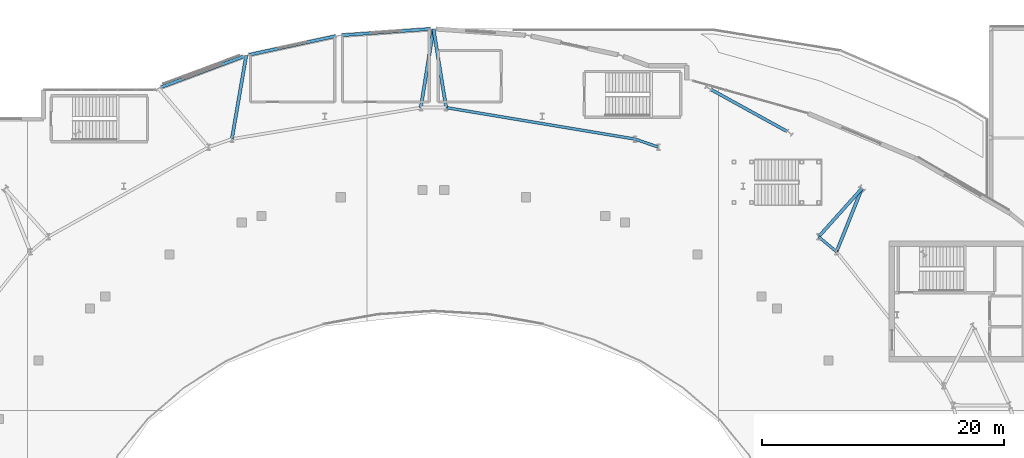
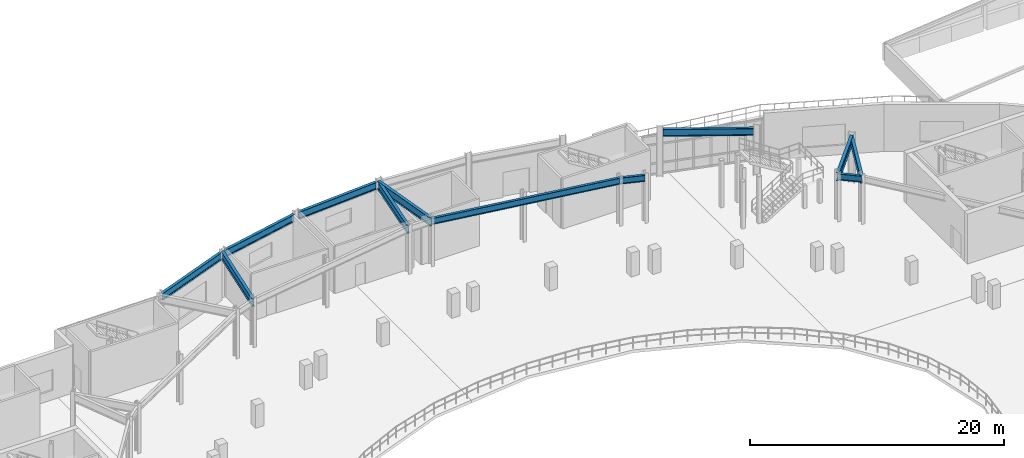
# One storey, part 44 of 84: 12 beams.
"""IFC4 building model written with IfcOpenShell, lengths in metres."""

from ifc_helpers import new_model, si_unit, direction, frame, origin, origin_2d, place, context, subcontext, project, spatial, i_section, extrude, material, material_profile, profile_set, type_object, element, save


model = new_model("IFC4")

# Units and contexts
model_context = context("Model", 3, precision=1e-05, world=origin(), true_north=direction((0.0, 1.0)))
body_context = subcontext(model_context, "Body", "Model", "MODEL_VIEW")
ifc_project = project(units=[si_unit("LENGTHUNIT", "METRE"), si_unit("AREAUNIT", "SQUARE_METRE"), si_unit("VOLUMEUNIT", "CUBIC_METRE"), si_unit("PLANEANGLEUNIT", "RADIAN"), si_unit("MASSUNIT", "GRAM", prefix="KILO")], contexts=[model_context])

# Site, building, storey
site_placement = place(None, origin())
site = spatial("IfcSite", under=ifc_project, at=site_placement, CompositionType="ELEMENT")
building_placement = place(site_placement, origin())
building = spatial("IfcBuilding", under=site, at=building_placement, Name="Glasvene Arena", CompositionType="ELEMENT")
storey_placement = place(building_placement, frame((0.0, 0.0, 10.199951171875)))
storey = spatial("IfcBuildingStorey", under=building, at=storey_placement, Name="L02", CompositionType="ELEMENT", Elevation=10.199951171875)

# Beams
ifc_material = material(Name="Steel S355J2", Category="steel")
ifc_material_profile_1 = material_profile(ifc_material, i_section(OverallWidth=0.228271484375, OverallDepth=0.607666015625, WebThickness=0.010986328125, FlangeThickness=0.017333984375, FilletRadius=0.0126953125, at=origin_2d()), Name="UKB 610x229x113")
ifc_profile_set_1 = profile_set([ifc_material_profile_1], Name="Steel S355J2")
beam_type_1 = type_object("IfcBeamType", Name="BM-GIRD-610", PredefinedType="BEAM", material=ifc_profile_set_1)
beam_1_placement = place(storey_placement, frame((125.256591796875, 99.59912109375, 4.215087890625), z_axis=(-0.766930434436, 0.641730246082, 0.0), x_axis=(-0.641730246082, -0.766930434436, 0.0)))
element("IfcBeam", 1, at=beam_1_placement, inside=storey, type_object=beam_type_1, Name="Concourse inner ring girder L02-04", PredefinedType="BEAM", context=body_context, shape_type="SweptSolid", body=[
    extrude(i_section(OverallWidth=0.228271484375, OverallDepth=0.607666015625, WebThickness=0.010986328125, FlangeThickness=0.017333984375, FilletRadius=0.0126953125, at=origin_2d()), origin(), (0.0, 0.0, 1.0), 1.924560546875),
])
beam_2_placement = place(storey_placement, frame((110.56298828125, 108.225830078125, 4.215087890625), z_axis=(-0.944798184006, 0.327652852114, 0.0), x_axis=(-0.327652852114, -0.944798184006, 0.0)))
element("IfcBeam", 2, at=beam_2_placement, inside=storey, type_object=beam_type_1, Name="Concourse inner ring girder L02-06", PredefinedType="BEAM", context=body_context, shape_type="SweptSolid", body=[
    extrude(i_section(OverallWidth=0.228271484375, OverallDepth=0.607666015625, WebThickness=0.010986328125, FlangeThickness=0.017333984375, FilletRadius=0.0126953125, at=origin_2d()), origin(), (0.0, 0.0, 1.0), 2.040771484375),
])
beam_3_placement = place(storey_placement, frame((108.634765625, 108.89453125, 4.215087890625), z_axis=(-0.986425216298, 0.164211122194, 0.0), x_axis=(-0.164211122194, -0.986425216298, 0.0)))
element("IfcBeam", 3, at=beam_3_placement, inside=storey, type_object=beam_type_1, Name="Concourse inner ring girder L02-07", PredefinedType="BEAM", context=body_context, shape_type="SweptSolid", body=[
    extrude(i_section(OverallWidth=0.228271484375, OverallDepth=0.607666015625, WebThickness=0.010986328125, FlangeThickness=0.017333984375, FilletRadius=0.0126953125, at=origin_2d()), origin(), (0.0, 0.0, 1.0), 15.8056640625),
])
ifc_material_profile_2 = material_profile(ifc_material, i_section(OverallWidth=0.253662109375, OverallDepth=0.68359375, WebThickness=0.012451171875, FlangeThickness=0.01904296875, FilletRadius=0.01513671875, at=origin_2d()), Name="UKB 686x254x140")
ifc_profile_set_2 = profile_set([ifc_material_profile_2], Name="Steel S355J2")
beam_type_2 = type_object("IfcBeamType", Name="BM-GIRD-686", PredefinedType="BEAM", material=ifc_profile_set_2)
beam_4_placement = place(storey_placement, frame((121.17919921875, 109.521728515625, 4.178466796875), z_axis=(-0.875653765723, 0.482939419156, 0.0), x_axis=(-0.482939419156, -0.875653765723, 0.0)))
element("IfcBeam", 4, at=beam_4_placement, inside=storey, type_object=beam_type_2, Name="Bowl ring chord beam L02-07", PredefinedType="BEAM", context=body_context, shape_type="SweptSolid", body=[
    extrude(i_section(OverallWidth=0.253662109375, OverallDepth=0.68359375, WebThickness=0.012451171875, FlangeThickness=0.01904296875, FilletRadius=0.01513671875, at=origin_2d()), origin(), (0.0, 0.0, 1.0), 7.159912109375),
])
beam_5_placement = place(storey_placement, frame((91.760498046875, 117.98291015625, 4.178466796875), z_axis=(-0.997501616337, -0.070643650844, 0.0), x_axis=(0.070643650844, -0.997501616337, 0.0)))
element("IfcBeam", 5, at=beam_5_placement, inside=storey, type_object=beam_type_2, Name="Bowl ring chord beam L02-11", PredefinedType="BEAM", context=body_context, shape_type="SweptSolid", body=[
    extrude(i_section(OverallWidth=0.253662109375, OverallDepth=0.68359375, WebThickness=0.012451171875, FlangeThickness=0.01904296875, FilletRadius=0.01513671875, at=origin_2d()), origin(), (0.0, 0.0, 1.0), 7.361083984375),
])
beam_6_placement = place(storey_placement, frame((83.943603515625, 117.395263671875, 4.178466796875), z_axis=(-0.97744150895, -0.211206289161, 0.0), x_axis=(0.211206289161, -0.97744150895, 0.0)))
element("IfcBeam", 6, at=beam_6_placement, inside=storey, type_object=beam_type_2, Name="Bowl ring chord beam L02-12", PredefinedType="BEAM", context=body_context, shape_type="SweptSolid", body=[
    extrude(i_section(OverallWidth=0.253662109375, OverallDepth=0.68359375, WebThickness=0.012451171875, FlangeThickness=0.01904296875, FilletRadius=0.01513671875, at=origin_2d()), origin(), (0.0, 0.0, 1.0), 7.3251953125),
])
beam_7_placement = place(storey_placement, frame((76.32421875, 115.713623046875, 4.178466796875), z_axis=(-0.937013245498, -0.349293827259, 0.0), x_axis=(0.349293827259, -0.937013245498, 0.0)))
element("IfcBeam", 7, at=beam_7_placement, inside=storey, type_object=beam_type_2, Name="Bowl ring chord beam L02-13", PredefinedType="BEAM", context=body_context, shape_type="SweptSolid", body=[
    extrude(i_section(OverallWidth=0.253662109375, OverallDepth=0.68359375, WebThickness=0.012451171875, FlangeThickness=0.01904296875, FilletRadius=0.01513671875, at=origin_2d()), origin(), (0.0, 0.0, 1.0), 7.255859375),
])
ifc_material_profile_3 = material_profile(ifc_material, i_section(OverallWidth=0.2666015625, OverallDepth=0.76220703125, WebThickness=0.014404296875, FlangeThickness=0.021484375, FilletRadius=0.0166015625, at=origin_2d()), Name="UKB 762x267x173")
ifc_profile_set_3 = profile_set([ifc_material_profile_3], Name="Steel S355J2")
beam_type_3 = type_object("IfcBeamType", Name="BM-GIRD-762", PredefinedType="BEAM", material=ifc_profile_set_3)
beam_8_placement = place(storey_placement, frame((125.256591796875, 99.59912109375, 4.138916015625), z_axis=(0.372976095384, 0.927840952034, 0.0), x_axis=(-0.927840952034, 0.372976095384, 0.0)))
element("IfcBeam", 8, at=beam_8_placement, inside=storey, type_object=beam_type_3, Name="Radial concourse girder L02-04", PredefinedType="BEAM", context=body_context, shape_type="SweptSolid", body=[
    extrude(i_section(OverallWidth=0.2666015625, OverallDepth=0.76220703125, WebThickness=0.014404296875, FlangeThickness=0.021484375, FilletRadius=0.0166015625, at=origin_2d()), origin(), (0.0, 0.0, 1.0), 5.626708984375),
])
beam_9_placement = place(storey_placement, frame((123.780517578125, 100.834228515625, 4.138916015625), z_axis=(0.667691455448, 0.744438123904, 0.0), x_axis=(-0.744438123904, 0.667691455448, 0.0)))
element("IfcBeam", 9, at=beam_9_placement, inside=storey, type_object=beam_type_3, Name="Radial concourse girder L02-05", PredefinedType="BEAM", context=body_context, shape_type="SweptSolid", body=[
    extrude(i_section(OverallWidth=0.2666015625, OverallDepth=0.76220703125, WebThickness=0.014404296875, FlangeThickness=0.021484375, FilletRadius=0.0166015625, at=origin_2d()), origin(), (0.0, 0.0, 1.0), 5.353759765625),
])
for number, where, z_axis, x_axis, name in (
    (10, (93.043701171875, 111.489990234375, 4.138916015625), (-0.158300997848, 0.987390902369, 0.0), (-0.987390902369, -0.158300997848, 0.0), "Radial concourse girder L02-08"),
    (11, (90.956298828125, 111.489990234375, 4.138916015625), (0.158300997848, 0.987390902369, 0.0), (-0.987390902369, 0.158300997848, 0.0), "Radial concourse girder L02-09"),
):
    element("IfcBeam", number, at=place(storey_placement, frame(where, z_axis=z_axis, x_axis=x_axis)), inside=storey, type_object=beam_type_3, Name=name, PredefinedType="BEAM", context=body_context, shape_type="SweptSolid", body=[
        extrude(i_section(OverallWidth=0.2666015625, OverallDepth=0.76220703125, WebThickness=0.014404296875, FlangeThickness=0.021484375, FilletRadius=0.0166015625, at=origin_2d()), origin(), (0.0, 0.0, 1.0), 6.59326171875),
    ])
beam_10_placement = place(storey_placement, frame((75.365234375, 108.89453125, 4.138916015625), z_axis=(0.169060564867, 0.985605664253, 0.0), x_axis=(-0.985605664253, 0.169060564867, 0.0)))
element("IfcBeam", 12, at=beam_10_placement, inside=storey, type_object=beam_type_3, Name="Radial concourse girder L02-10", PredefinedType="BEAM", context=body_context, shape_type="SweptSolid", body=[
    extrude(i_section(OverallWidth=0.2666015625, OverallDepth=0.76220703125, WebThickness=0.014404296875, FlangeThickness=0.021484375, FilletRadius=0.0166015625, at=origin_2d()), origin(), (0.0, 0.0, 1.0), 7.00390625),
])

save(model, "model.ifc")
